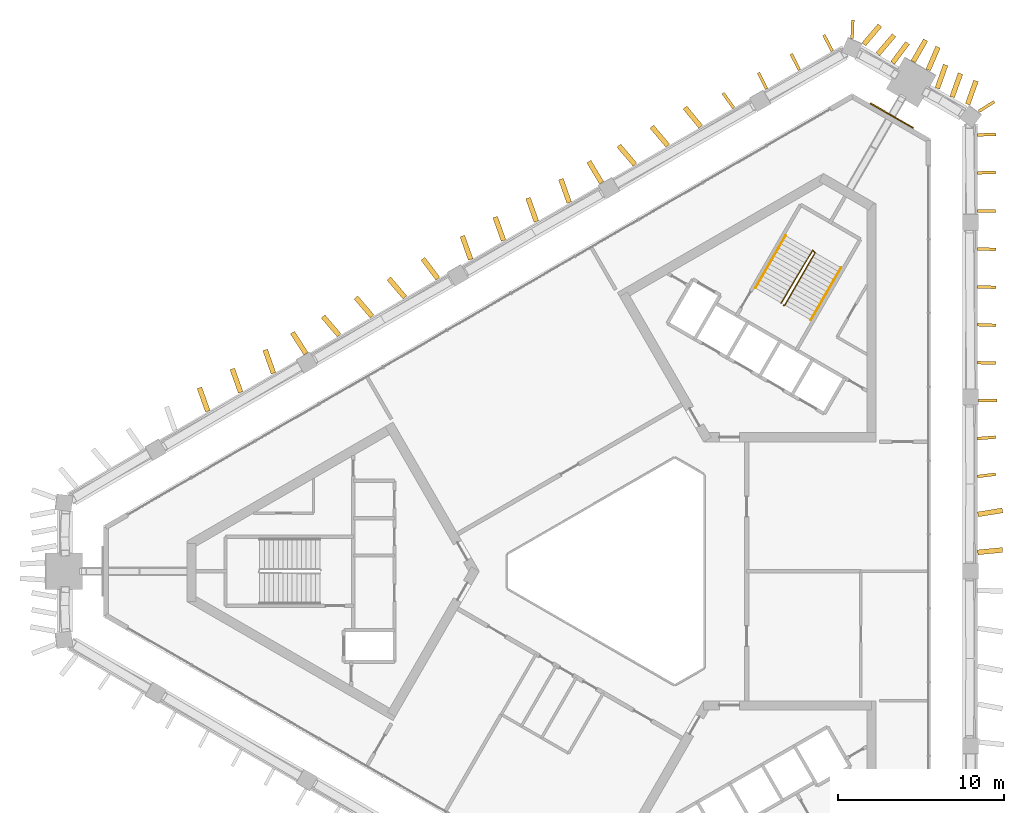
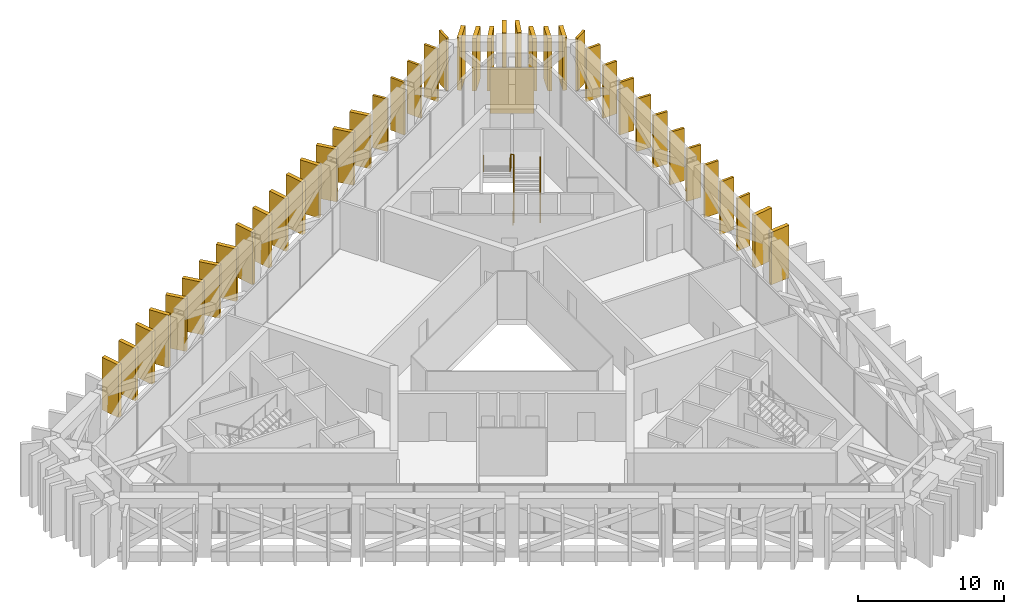
# One storey, part 15 of 15: 42 shading devices, 3 railings, 1 covering.
"""IFC4 building model written with IfcOpenShell, lengths in metres."""

from ifc_helpers import new_model, si_unit, direction, frame, frame_2d, origin, origin_2d, place, context, subcontext, project, spatial, rectangle, circle, extrude, material, layer, layer_set, type_object, element, save


model = new_model("IFC4")

# Units and contexts
model_context = context("Model", 3, precision=1e-05, world=origin(), true_north=direction((0.0, 1.0)))
body_context = subcontext(model_context, "Body", "Model", "MODEL_VIEW")
ifc_project = project(units=[si_unit("LENGTHUNIT", "METRE"), si_unit("AREAUNIT", "SQUARE_METRE"), si_unit("VOLUMEUNIT", "CUBIC_METRE"), si_unit("PLANEANGLEUNIT", "RADIAN"), si_unit("MASSUNIT", "GRAM", prefix="KILO")], contexts=[model_context])

# Site, building, storey
site_placement = place(None, origin())
site = spatial("IfcSite", under=ifc_project, at=site_placement, CompositionType="ELEMENT")
building_placement = place(site_placement, origin())
building = spatial("IfcBuilding", under=site, at=building_placement, Name="Jabali Bay Hotel Tower and Convention Centre", CompositionType="ELEMENT")
storey_placement = place(building_placement, frame((0.0, 0.0, 201.39990234375)))
storey = spatial("IfcBuildingStorey", under=building, at=storey_placement, Name="L49", CompositionType="ELEMENT", Elevation=201.39990234375)

# Shading devices
ifc_material_1 = material(Name="Precast concrete C60", Category="concrete")
ifc_layer_1 = layer(ifc_material_1, 0.179931640625)
ifc_layer_set_1 = layer_set([ifc_layer_1], Name="Precast concrete C60")
shading_device_type_1 = type_object("IfcShadingDeviceType", Name="Precast fin 4380 x 1100", PredefinedType="USERDEFINED", material=ifc_layer_set_1)
shading_device_1_placement = place(storey_placement, frame((96.000732421875, 85.71044921875, 0.010009765625), z_axis=(0.0, 0.0, 1.0), x_axis=(0.992356215357, 0.123406409246, 0.0)))
element("IfcShadingDevice", 1, at=shading_device_1_placement, inside=storey, type_object=shading_device_type_1, Name="Fin L49 014", ObjectType="FIN", PredefinedType="USERDEFINED", context=body_context, shape_type="SweptSolid", body=[
    extrude(rectangle(XDim=1.099853515625, YDim=0.179931640625, at=frame_2d((0.5498046875, 0.0))), origin(), (0.0, 0.0, 1.0), 4.380126953125),
])
shading_device_2_placement = place(storey_placement, frame((95.996337890625, 87.99462890625, 0.010009765625), z_axis=(0.0, 0.0, 1.0), x_axis=(0.997182317926, 0.07501616369, 0.0)))
element("IfcShadingDevice", 2, at=shading_device_2_placement, inside=storey, type_object=shading_device_type_1, Name="Fin L49 015", ObjectType="FIN", PredefinedType="USERDEFINED", context=body_context, shape_type="SweptSolid", body=[
    extrude(rectangle(XDim=1.10009765625, YDim=0.179931640625, at=frame_2d((0.550048828125, 0.0))), origin(), (0.0, 0.0, 1.0), 4.380126953125),
])
shading_device_3_placement = place(storey_placement, frame((96.0654296875, 90.279052734375, 0.010009765625), z_axis=(0.0, 0.0, 1.0), x_axis=(0.999962529868, 0.008656723344, 0.0)))
element("IfcShadingDevice", 3, at=shading_device_3_placement, inside=storey, type_object=shading_device_type_1, Name="Fin L49 016", ObjectType="FIN", PredefinedType="USERDEFINED", context=body_context, shape_type="SweptSolid", body=[
    extrude(rectangle(XDim=1.099853515625, YDim=0.179931640625, at=frame_2d((0.5498046875, 0.0))), origin(), (0.0, 0.0, 1.0), 4.380126953125),
])
for number, where, z_axis, x_axis, name in (
    (4, (95.992431640625, 92.563232421875, 0.010009765625), (0.0, 0.0, 1.0), (0.999467816854, -0.032620286207, 0.0), "Fin L49 017"),
    (5, (95.992919921875, 94.847412109375, 0.010009765625), (0.0, 0.0, 1.0), (0.999279740613, -0.037947331922, 0.0), "Fin L49 018"),
    (6, (95.992919921875, 97.131591796875, 0.010009765625), (0.0, 0.0, 1.0), (0.99931300854, -0.037060908822, 0.0), "Fin L49 019"),
    (7, (95.992919921875, 99.415771484375, 0.010009765625), (0.0, 0.0, 1.0), (0.999321202999, -0.036839289296, 0.0), "Fin L49 020"),
    (8, (95.989990234375, 101.699951171875, 0.010009765625), (0.0, 0.0, 1.0), (0.99999111026, 0.004216562604, 0.0), "Fin L49 021"),
):
    element("IfcShadingDevice", number, at=place(storey_placement, frame(where, z_axis=z_axis, x_axis=x_axis)), inside=storey, type_object=shading_device_type_1, Name=name, ObjectType="FIN", PredefinedType="USERDEFINED", context=body_context, shape_type="SweptSolid", body=[
        extrude(rectangle(XDim=1.10009765625, YDim=0.179931640625, at=frame_2d((0.550048828125, 0.0))), origin(), (0.0, 0.0, 1.0), 4.380126953125),
    ])
for number, where, z_axis, x_axis, name in (
    (9, (95.992919921875, 103.984130859375, 0.010009765625), (0.0, 0.0, 1.0), (0.999329050774, 0.036625787067, 0.0), "Fin L49 022"),
    (10, (95.992919921875, 106.268310546875, 0.010009765625), (0.0, 0.0, 1.0), (0.999329050774, 0.036625787067, 0.0), "Fin L49 023"),
):
    element("IfcShadingDevice", number, at=place(storey_placement, frame(where, z_axis=z_axis, x_axis=x_axis)), inside=storey, type_object=shading_device_type_1, Name=name, ObjectType="FIN", PredefinedType="USERDEFINED", context=body_context, shape_type="SweptSolid", body=[
        extrude(rectangle(XDim=1.099853515625, YDim=0.179931640625, at=frame_2d((0.5498046875, 0.0))), origin(), (0.0, 0.0, 1.0), 4.380126953125),
    ])
for number, where, z_axis, x_axis, name in (
    (11, (87.25244140625, 111.31494140625, 0.010009765625), (0.0, 0.0, 1.0), (-0.464089926346, 0.885788089931, 0.0), "Fin L49 032"),
    (12, (85.27392578125, 110.173583984375, 0.010009765625), (0.0, 0.0, 1.0), (-0.455627145521, 0.89017071636, 0.0), "Fin L49 033"),
    (13, (83.295166015625, 109.0322265625, 0.010009765625), (0.0, 0.0, 1.0), (-0.446325606723, 0.894870634664, 0.0), "Fin L49 034"),
    (14, (81.315185546875, 107.89306640625, 0.010009765625), (0.0, 0.0, 1.0), (-0.583503414165, 0.812110685595, 0.0), "Fin L49 035"),
    (15, (96.06689453125, 107.68603515625, 0.010009765625), (0.0, 0.0, 1.0), (0.847161841794, 0.531334935618, 0.0), "Fin L49 097"),
):
    element("IfcShadingDevice", number, at=place(storey_placement, frame(where, z_axis=z_axis, x_axis=x_axis)), inside=storey, type_object=shading_device_type_1, Name=name, ObjectType="FIN", PredefinedType="USERDEFINED", context=body_context, shape_type="SweptSolid", body=[
        extrude(rectangle(XDim=1.10009765625, YDim=0.179931640625, at=frame_2d((0.550048828125, 0.0))), origin(), (0.0, 0.0, 1.0), 4.380126953125),
    ])
shading_device_4_placement = place(storey_placement, frame((88.443359375, 112.087158203125, 0.010009765625), z_axis=(0.0, 0.0, 1.0), x_axis=(0.039063896443, 0.999236714695, 0.0)))
element("IfcShadingDevice", 16, at=shading_device_4_placement, inside=storey, type_object=shading_device_type_1, Name="Fin L49 098", ObjectType="FIN", PredefinedType="USERDEFINED", context=body_context, shape_type="SweptSolid", body=[
    extrude(rectangle(XDim=1.099853515625, YDim=0.179931640625, at=frame_2d((0.5498046875, 0.0))), origin(), (0.0, 0.0, 1.0), 4.380126953125),
])
ifc_layer_2 = layer(ifc_material_1, 0.300048828125)
ifc_layer_set_2 = layer_set([ifc_layer_2], Name="Precast concrete C60")
shading_device_type_2 = type_object("IfcShadingDeviceType", Name="Precast fin 4380 x 1500", PredefinedType="USERDEFINED", material=ifc_layer_set_2)
for number, where, z_axis, x_axis, name in (
    (17, (96.004150390625, 81.14208984375, 0.010009765625), (0.0, 0.0, 1.0), (0.995268109832, 0.097166813012, 0.0), "Fin L49 012"),
    (18, (96.013916015625, 83.42626953125, 0.010009765625), (0.0, 0.0, 1.0), (0.986825961183, 0.161785420652, 0.0), "Fin L49 013"),
):
    element("IfcShadingDevice", number, at=place(storey_placement, frame(where, z_axis=z_axis, x_axis=x_axis)), inside=storey, type_object=shading_device_type_2, Name=name, ObjectType="FIN", PredefinedType="USERDEFINED", context=body_context, shape_type="SweptSolid", body=[
        extrude(rectangle(XDim=1.5, YDim=0.300048828125, at=frame_2d((0.75, 0.0))), origin(), (0.0, 0.0, 1.0), 4.380126953125),
    ])
shading_device_5_placement = place(storey_placement, frame((95.39794921875, 108.10986328125, 0.010009765625), z_axis=(0.0, 0.0, 1.0), x_axis=(0.335160595484, 0.942161013434, 0.0)))
element("IfcShadingDevice", 19, at=shading_device_5_placement, inside=storey, type_object=shading_device_type_2, Name="Fin L49 024", ObjectType="FIN", PredefinedType="USERDEFINED", context=body_context, shape_type="SweptSolid", body=[
    extrude(rectangle(XDim=1.499755859375, YDim=0.300048828125, at=frame_2d((0.75, 0.0))), origin(), (0.0, 0.0, 1.0), 4.380126953125),
])
shading_device_6_placement = place(storey_placement, frame((94.463134765625, 108.553955078125, 0.010009765625), z_axis=(0.0, 0.0, 1.0), x_axis=(0.335253666146, 0.94212789967, 0.0)))
element("IfcShadingDevice", 20, at=shading_device_6_placement, inside=storey, type_object=shading_device_type_2, Name="Fin L49 025", ObjectType="FIN", PredefinedType="USERDEFINED", context=body_context, shape_type="SweptSolid", body=[
    extrude(rectangle(XDim=1.500244140625, YDim=0.300048828125, at=frame_2d((0.75, 0.0))), origin(), (0.0, 0.0, 1.0), 4.380126953125),
])
shading_device_7_placement = place(storey_placement, frame((93.570068359375, 109.06982421875, 0.010009765625), z_axis=(0.0, 0.0, 1.0), x_axis=(0.335160595484, 0.942161013434, 0.0)))
element("IfcShadingDevice", 21, at=shading_device_7_placement, inside=storey, type_object=shading_device_type_2, Name="Fin L49 026", ObjectType="FIN", PredefinedType="USERDEFINED", context=body_context, shape_type="SweptSolid", body=[
    extrude(rectangle(XDim=1.499755859375, YDim=0.300048828125, at=frame_2d((0.75, 0.0))), origin(), (0.0, 0.0, 1.0), 4.380126953125),
])
for number, where, z_axis, x_axis, name in (
    (22, (93.021484375, 110.1826171875, 0.010009765625), (0.0, 0.0, 1.0), (0.396510845838, 0.918030037163, 0.0), "Fin L49 027"),
    (23, (92.11962890625, 110.683349609375, 0.010009765625), (0.0, 0.0, 1.0), (0.499168154859, 0.86650513742, 0.0), "Fin L49 028"),
    (24, (90.88525390625, 110.608642578125, 0.010009765625), (0.0, 0.0, 1.0), (0.597653685154, 0.801754371751, 0.0), "Fin L49 029"),
    (25, (89.996826171875, 111.132568359375, 0.010009765625), (0.0, 0.0, 1.0), (0.648281291341, 0.761400924151, 0.0), "Fin L49 030"),
    (26, (89.14501953125, 111.719970703125, 0.010009765625), (0.0, 0.0, 1.0), (0.648281291341, 0.761400924151, 0.0), "Fin L49 031"),
    (27, (79.329345703125, 106.764404296875, 0.010009765625), (0.0, 0.0, 1.0), (-0.63445128947, 0.772962845996, 0.0), "Fin L49 036"),
    (28, (77.35009765625, 105.6240234375, 0.010009765625), (0.0, 0.0, 1.0), (-0.644847170474, 0.764311537746, 0.0), "Fin L49 037"),
    (29, (75.371826171875, 104.482421875, 0.010009765625), (0.0, 0.0, 1.0), (-0.64758227832, 0.761995533324, 0.0), "Fin L49 038"),
    (30, (73.3681640625, 103.38427734375, 0.010009765625), (0.0, 0.0, 1.0), (-0.515763707139, 0.85673087863, 0.0), "Fin L49 039"),
    (31, (71.415283203125, 102.198486328125, 0.010009765625), (0.0, 0.0, 1.0), (-0.335305076677, 0.942109603791, 0.0), "Fin L49 040"),
    (32, (69.43701171875, 101.05615234375, 0.010009765625), (0.0, 0.0, 1.0), (-0.335109201498, 0.942179294546, 0.0), "Fin L49 041"),
):
    element("IfcShadingDevice", number, at=place(storey_placement, frame(where, z_axis=z_axis, x_axis=x_axis)), inside=storey, type_object=shading_device_type_2, Name=name, ObjectType="FIN", PredefinedType="USERDEFINED", context=body_context, shape_type="SweptSolid", body=[
        extrude(rectangle(XDim=1.5, YDim=0.300048828125, at=frame_2d((0.75, 0.0))), origin(), (0.0, 0.0, 1.0), 4.380126953125),
    ])
shading_device_8_placement = place(storey_placement, frame((67.458984375, 99.9140625, 0.010009765625), z_axis=(0.0, 0.0, 1.0), x_axis=(-0.335253666146, 0.94212789967, 0.0)))
element("IfcShadingDevice", 33, at=shading_device_8_placement, inside=storey, type_object=shading_device_type_2, Name="Fin L49 042", ObjectType="FIN", PredefinedType="USERDEFINED", context=body_context, shape_type="SweptSolid", body=[
    extrude(rectangle(XDim=1.500244140625, YDim=0.300048828125, at=frame_2d((0.75, 0.0))), origin(), (0.0, 0.0, 1.0), 4.380126953125),
])
for number, where, z_axis, x_axis, name in (
    (34, (65.480712890625, 98.77197265625, 0.010009765625), (0.0, 0.0, 1.0), (-0.335109201498, 0.942179294546, 0.0), "Fin L49 043"),
    (35, (63.5068359375, 97.62255859375, 0.010009765625), (0.0, 0.0, 1.0), (-0.603224462126, 0.797571469082, 0.0), "Fin L49 044"),
    (36, (61.5244140625, 96.48779296875, 0.010009765625), (0.0, 0.0, 1.0), (-0.648281291341, 0.761400924151, 0.0), "Fin L49 045"),
    (37, (59.546142578125, 95.345703125, 0.010009765625), (0.0, 0.0, 1.0), (-0.648281291341, 0.761400924151, 0.0), "Fin L49 046"),
):
    element("IfcShadingDevice", number, at=place(storey_placement, frame(where, z_axis=z_axis, x_axis=x_axis)), inside=storey, type_object=shading_device_type_2, Name=name, ObjectType="FIN", PredefinedType="USERDEFINED", context=body_context, shape_type="SweptSolid", body=[
        extrude(rectangle(XDim=1.5, YDim=0.300048828125, at=frame_2d((0.75, 0.0))), origin(), (0.0, 0.0, 1.0), 4.380126953125),
    ])
shading_device_9_placement = place(storey_placement, frame((57.568115234375, 94.20361328125, 0.010009765625), z_axis=(0.0, 0.0, 1.0), x_axis=(-0.64837563468, 0.761320587107, 0.0)))
element("IfcShadingDevice", 38, at=shading_device_9_placement, inside=storey, type_object=shading_device_type_2, Name="Fin L49 047", ObjectType="FIN", PredefinedType="USERDEFINED", context=body_context, shape_type="SweptSolid", body=[
    extrude(rectangle(XDim=1.500244140625, YDim=0.300048828125, at=frame_2d((0.75, 0.0))), origin(), (0.0, 0.0, 1.0), 4.380126953125),
])
for number, where, z_axis, x_axis, name in (
    (39, (55.5625, 93.10888671875, 0.010009765625), (0.0, 0.0, 1.0), (-0.539243052756, 0.842150182601, 0.0), "Fin L49 048"),
    (40, (53.611572265625, 91.91943359375, 0.010009765625), (0.0, 0.0, 1.0), (-0.335109201498, 0.942179294546, 0.0), "Fin L49 049"),
):
    element("IfcShadingDevice", number, at=place(storey_placement, frame(where, z_axis=z_axis, x_axis=x_axis)), inside=storey, type_object=shading_device_type_2, Name=name, ObjectType="FIN", PredefinedType="USERDEFINED", context=body_context, shape_type="SweptSolid", body=[
        extrude(rectangle(XDim=1.5, YDim=0.300048828125, at=frame_2d((0.75, 0.0))), origin(), (0.0, 0.0, 1.0), 4.380126953125),
    ])
shading_device_10_placement = place(storey_placement, frame((51.633544921875, 90.77734375, 0.010009765625), z_axis=(0.0, 0.0, 1.0), x_axis=(-0.335253666146, 0.94212789967, 0.0)))
element("IfcShadingDevice", 41, at=shading_device_10_placement, inside=storey, type_object=shading_device_type_2, Name="Fin L49 050", ObjectType="FIN", PredefinedType="USERDEFINED", context=body_context, shape_type="SweptSolid", body=[
    extrude(rectangle(XDim=1.500244140625, YDim=0.300048828125, at=frame_2d((0.75, 0.0))), origin(), (0.0, 0.0, 1.0), 4.380126953125),
])
shading_device_11_placement = place(storey_placement, frame((49.6552734375, 89.63525390625, 0.010009765625), z_axis=(0.0, 0.0, 1.0), x_axis=(-0.335160595484, 0.942161013434, 0.0)))
element("IfcShadingDevice", 42, at=shading_device_11_placement, inside=storey, type_object=shading_device_type_2, Name="Fin L49 051", ObjectType="FIN", PredefinedType="USERDEFINED", context=body_context, shape_type="SweptSolid", body=[
    extrude(rectangle(XDim=1.499755859375, YDim=0.300048828125, at=frame_2d((0.75, 0.0))), origin(), (0.0, 0.0, 1.0), 4.380126953125),
])

# Covering
ifc_material_2 = material(Name="Precast concrete C40/50", Category="concrete")
ifc_layer_3 = layer(ifc_material_2, 0.080078125)
ifc_layer_set_3 = layer_set([ifc_layer_3], Name="Precast concrete C40/50")
covering_type = type_object("IfcCoveringType", Name="Relief panel 3000 x 3800", PredefinedType="CLADDING", material=ifc_layer_set_3)
covering_placement = place(storey_placement, frame((90.83642578125, 107.4296875, 0.10009765625), z_axis=(0.0, 0.0, 1.0), x_axis=(0.866025383678, -0.500000034825, 0.0)))
element("IfcCovering", 43, at=covering_placement, inside=storey, type_object=covering_type, Name="Relief panel L49", PredefinedType="CLADDING", context=body_context, shape_type="SweptSolid", body=[
    extrude(rectangle(XDim=3.0, YDim=0.080078125, at=origin_2d()), origin(), (0.0, 0.0, 1.0), 3.800048828125),
])

# Railings
ifc_material_3 = material(Name="Steel Q355B", Category="steel")
railing_type_1 = type_object("IfcRailingType", Name="Stair guard 1100", PredefinedType="GUARDRAIL", material=ifc_material_3)
railing_1_placement = place(storey_placement, frame((84.329833984375, 96.010009765625, 0.0)))
element("IfcRailing", 44, at=railing_1_placement, inside=storey, type_object=railing_type_1, Name="L49 ST2 stair guard 1", PredefinedType="GUARDRAIL", context=body_context, shape_type="SweptSolid", body=[
    extrude(circle(Radius=0.02392578125, at=origin_2d()), frame((0.0, 0.0, 1.076171875), z_axis=(0.396471330136, 0.106197677715, 0.911884059312), x_axis=(-0.258736085224, 0.965948051503, 0.0)), (0.0, 0.0, 1.0), 0.17236328125),
    extrude(circle(Radius=0.02392578125, at=origin_2d()), frame((0.068359375, 0.018310546875, 1.2333984375), z_axis=(0.436031875999, 0.75520369992, 0.489431889787), x_axis=(-0.866018046521, 0.500012742938, 0.0)), (0.0, 0.0, 1.0), 4.174072265625),
    extrude(circle(Radius=0.02392578125, at=origin_2d()), frame((1.888427734375, 3.170654296875, 3.2763671875), z_axis=(-0.718850276695, 0.695164929852, 0.0), x_axis=(-0.695164929852, -0.718850276695, 0.0)), (0.0, 0.0, 1.0), 0.2060546875),
    extrude(circle(Radius=0.02392578125, at=origin_2d()), frame((1.740234375, 3.31396484375, 3.2763671875), z_axis=(-0.439537937446, -0.737980503376, 0.512046070372), x_axis=(0.859157857954, -0.511710636118, 0.0)), (0.0, 0.0, 1.0), 4.29638671875),
    extrude(circle(Radius=0.02099609375, at=origin_2d()), origin(), (0.0, 0.0, 1.0), 1.052001953125),
    extrude(circle(Radius=0.02099609375, at=origin_2d()), frame((0.068359375, 0.018310546875, 0.1572265625)), (0.0, 0.0, 1.0), 1.052001953125),
    extrude(circle(Radius=0.02099609375, at=origin_2d()), frame((0.5234375, 0.806396484375, 0.66796875)), (0.0, 0.0, 1.0), 1.052001953125),
    extrude(circle(Radius=0.02099609375, at=origin_2d()), frame((0.978515625, 1.594482421875, 1.1787109375)), (0.0, 0.0, 1.0), 1.052001953125),
    extrude(circle(Radius=0.02099609375, at=origin_2d()), frame((1.433349609375, 2.382568359375, 1.689453125)), (0.0, 0.0, 1.0), 1.052001953125),
    extrude(circle(Radius=0.02099609375, at=origin_2d()), frame((1.888427734375, 3.170654296875, 2.2001953125)), (0.0, 0.0, 1.0), 1.052001953125),
    extrude(circle(Radius=0.02099609375, at=origin_2d()), frame((1.740234375, 3.31396484375, 2.2001953125)), (0.0, 0.0, 1.0), 1.052001953125),
    extrude(circle(Radius=0.02099609375, at=origin_2d()), frame((1.26806640625, 2.521240234375, 2.750244140625)), (0.0, 0.0, 1.0), 1.052001953125),
    extrude(circle(Radius=0.02099609375, at=origin_2d()), frame((0.7958984375, 1.728515625, 3.30029296875)), (0.0, 0.0, 1.0), 1.052001953125),
    extrude(circle(Radius=0.02099609375, at=origin_2d()), frame((0.323974609375, 0.93603515625, 3.85009765625)), (0.0, 0.0, 1.0), 1.052001953125),
    extrude(circle(Radius=0.02099609375, at=origin_2d()), frame((-0.148193359375, 0.143310546875, 4.400146484375)), (0.0, 0.0, 1.0), 1.052001953125),
])
railing_type_2 = type_object("IfcRailingType", Name="Stair handrail 900", PredefinedType="HANDRAIL", material=ifc_material_3)
railing_2_placement = place(storey_placement, frame((85.95703125, 95.128173828125, 0.1572265625)))
element("IfcRailing", 45, at=railing_2_placement, inside=storey, type_object=railing_type_2, Name="L49 ST2 stair handrail 1", PredefinedType="HANDRAIL", context=body_context, shape_type="SweptSolid", body=[
    extrude(circle(Radius=0.02392578125, at=origin_2d()), frame((0.0, 0.0, 0.8759765625), z_axis=(0.436031875999, 0.75520369992, 0.489431889787), x_axis=(-0.866018046521, 0.500012742938, 0.0)), (0.0, 0.0, 1.0), 4.174072265625),
    extrude(circle(Radius=0.02099609375, at=origin_2d()), origin(), (0.0, 0.0, 1.0), 0.851806640625),
    extrude(circle(Radius=0.02099609375, at=origin_2d()), frame((0.455078125, 0.7880859375, 0.5107421875)), (0.0, 0.0, 1.0), 0.851806640625),
    extrude(circle(Radius=0.02099609375, at=origin_2d()), frame((0.91015625, 1.576171875, 1.021484375)), (0.0, 0.0, 1.0), 0.851806640625),
    extrude(circle(Radius=0.02099609375, at=origin_2d()), frame((1.364990234375, 2.3642578125, 1.5322265625)), (0.0, 0.0, 1.0), 0.851806640625),
    extrude(circle(Radius=0.02099609375, at=origin_2d()), frame((1.820068359375, 3.15234375, 2.04296875)), (0.0, 0.0, 1.0), 0.851806640625),
])
railing_3_placement = place(storey_placement, frame((84.44287109375, 100.20556640625, 2.357177734375)))
element("IfcRailing", 46, at=railing_3_placement, inside=storey, type_object=railing_type_2, Name="L49 ST2 stair handrail 2", PredefinedType="HANDRAIL", context=body_context, shape_type="SweptSolid", body=[
    extrude(circle(Radius=0.02392578125, at=origin_2d()), frame((0.0, 0.0, 0.8759765625), z_axis=(-0.436031875999, -0.75520369992, 0.489431889787), x_axis=(0.866018046521, -0.500012742938, 0.0)), (0.0, 0.0, 1.0), 4.174072265625),
    extrude(circle(Radius=0.02099609375, at=origin_2d()), origin(), (0.0, 0.0, 1.0), 0.851806640625),
    extrude(circle(Radius=0.02099609375, at=origin_2d()), frame((-0.455078125, -0.7880859375, 0.5107421875)), (0.0, 0.0, 1.0), 0.851806640625),
    extrude(circle(Radius=0.02099609375, at=origin_2d()), frame((-0.91015625, -1.576171875, 1.021484375)), (0.0, 0.0, 1.0), 0.851806640625),
    extrude(circle(Radius=0.02099609375, at=origin_2d()), frame((-1.364990234375, -2.3642578125, 1.5322265625)), (0.0, 0.0, 1.0), 0.851806640625),
    extrude(circle(Radius=0.02099609375, at=origin_2d()), frame((-1.820068359375, -3.15234375, 2.04296875)), (0.0, 0.0, 1.0), 0.851806640625),
])

save(model, "model.ifc")
